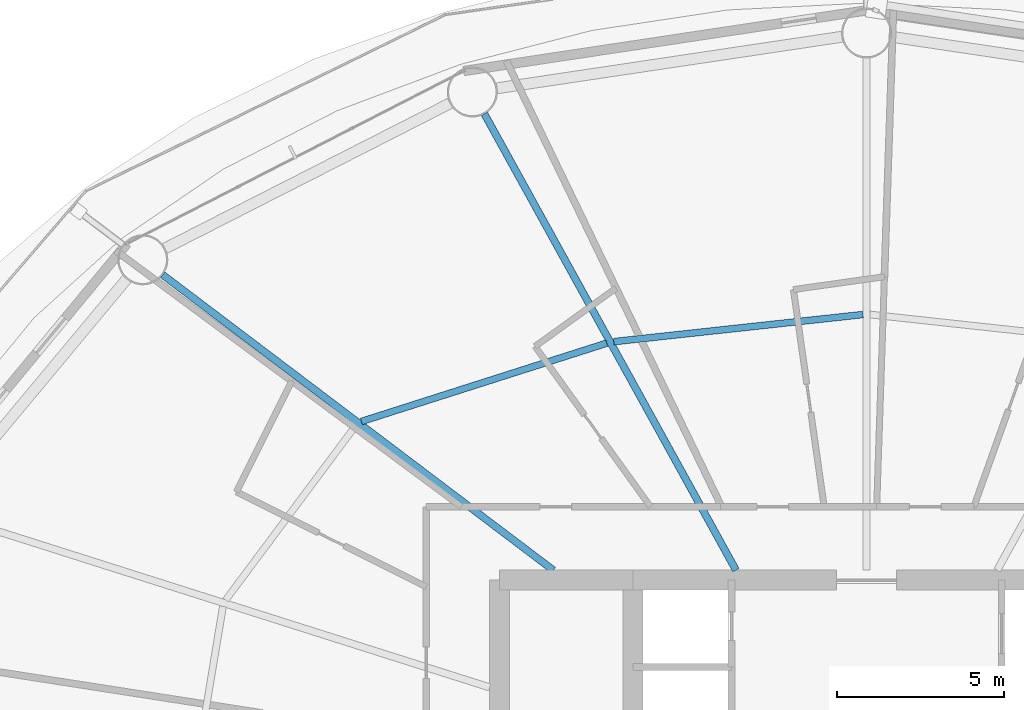
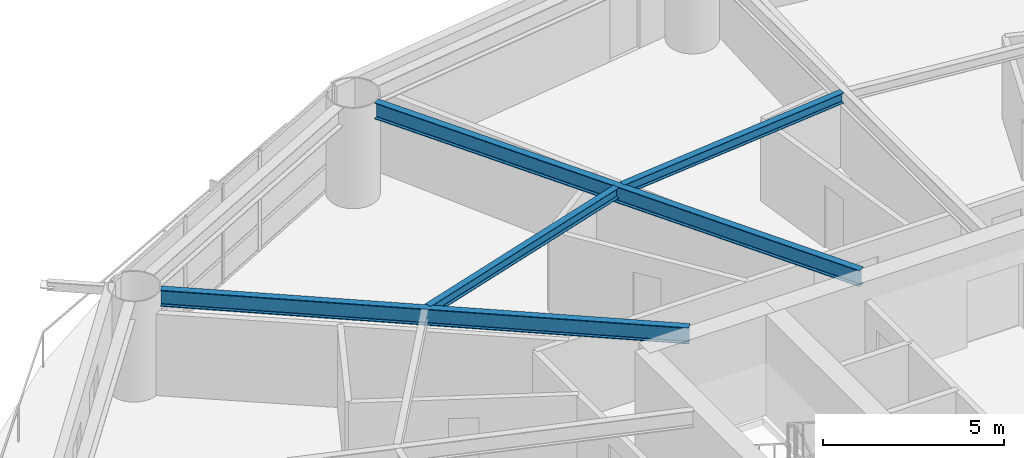
# One storey, part 11 of 28: 4 beams.
"""IFC4 building model written with IfcOpenShell, lengths in metres."""

from ifc_helpers import new_model, si_unit, direction, frame, origin, origin_2d, place, context, subcontext, project, spatial, i_section, extrude, material, material_profile, profile_set, type_object, element, save


model = new_model("IFC4")

# Units and contexts
model_context = context("Model", 3, precision=1e-05, world=origin(), true_north=direction((0.0, 1.0)))
body_context = subcontext(model_context, "Body", "Model", "MODEL_VIEW")
ifc_project = project(units=[si_unit("LENGTHUNIT", "METRE"), si_unit("AREAUNIT", "SQUARE_METRE"), si_unit("VOLUMEUNIT", "CUBIC_METRE"), si_unit("PLANEANGLEUNIT", "RADIAN"), si_unit("MASSUNIT", "GRAM", prefix="KILO")], contexts=[model_context])

# Site, building, storey
site_placement = place(None, origin())
site = spatial("IfcSite", under=ifc_project, at=site_placement, CompositionType="ELEMENT")
building_placement = place(site_placement, origin())
building = spatial("IfcBuilding", under=site, at=building_placement, Name="Sarneth Arch Tower", CompositionType="ELEMENT")
storey_placement = place(building_placement, frame((0.0, 0.0, 31.800048828125)))
storey = spatial("IfcBuildingStorey", under=building, at=storey_placement, Name="L06", CompositionType="ELEMENT", Elevation=31.800048828125)

# Beams
ifc_material_1 = material(Name="Steel S355", Category="steel")
ifc_material_profile_1 = material_profile(ifc_material_1, i_section(OverallWidth=0.202880859375, OverallDepth=0.346923828125, WebThickness=0.0078125, FlangeThickness=0.013427734375, FilletRadius=0.014892578125, at=origin_2d()), Name="W360x64")
ifc_profile_set_1 = profile_set([ifc_material_profile_1], Name="Steel S355")
beam_type_1 = type_object("IfcBeamType", Name="BM-JOIST-360C", PredefinedType="JOIST", material=ifc_profile_set_1)
beam_1_placement = place(storey_placement, frame((47.8935546875, 56.763427734375, 3.20654296875), z_axis=(-0.994129966112, -0.108192469602, 0.0), x_axis=(0.108192469602, -0.994129966112, 0.0)))
element("IfcBeam", 1, at=beam_1_placement, inside=storey, type_object=beam_type_1, Name="L06 Secondary floor joist 05", PredefinedType="JOIST", context=body_context, shape_type="SweptSolid", body=[
    extrude(i_section(OverallWidth=0.202880859375, OverallDepth=0.346923828125, WebThickness=0.0078125, FlangeThickness=0.013427734375, FilletRadius=0.014892578125, at=origin_2d()), origin(), (0.0, 0.0, 1.0), 7.5166015625),
])
beam_2_placement = place(storey_placement, frame((40.212890625, 55.906005859375, 3.20654296875), z_axis=(-0.95266836992, -0.304011475036, 0.0), x_axis=(0.304011475036, -0.95266836992, 0.0)))
element("IfcBeam", 2, at=beam_2_placement, inside=storey, type_object=beam_type_1, Name="L06 Secondary floor joist 06", PredefinedType="JOIST", context=body_context, shape_type="SweptSolid", body=[
    extrude(i_section(OverallWidth=0.202880859375, OverallDepth=0.346923828125, WebThickness=0.0078125, FlangeThickness=0.013427734375, FilletRadius=0.014892578125, at=origin_2d()), origin(), (0.0, 0.0, 1.0), 7.720703125),
])
ifc_material_2 = material(Name="Steel S355", Category="steel")
ifc_material_profile_2 = material_profile(ifc_material_2, i_section(OverallWidth=0.214111328125, OverallDepth=0.549072265625, WebThickness=0.0146484375, FlangeThickness=0.023681640625, FilletRadius=0.01806640625, at=origin_2d()), Name="W530x138")
ifc_profile_set_2 = profile_set([ifc_material_profile_2], Name="Steel S355")
beam_type_2 = type_object("IfcBeamType", Name="BM-RAD-530A", PredefinedType="BEAM", material=ifc_profile_set_2)
beam_3_placement = place(storey_placement, frame((44.08544921875, 49.10009765625, 3.10546875), z_axis=(-0.482841370957, 0.875707833979, 0.0), x_axis=(-0.875707833979, -0.482841370957, 0.0)))
element("IfcBeam", 3, at=beam_3_placement, inside=storey, type_object=beam_type_2, Name="L06 Radial floor girder 06", PredefinedType="BEAM", context=body_context, shape_type="SweptSolid", body=[
    extrude(i_section(OverallWidth=0.214111328125, OverallDepth=0.549072265625, WebThickness=0.0146484375, FlangeThickness=0.023681640625, FilletRadius=0.01806640625, at=origin_2d()), origin(), (0.0, 0.0, 1.0), 15.618408203125),
])
beam_4_placement = place(storey_placement, frame((38.609619140625, 49.10009765625, 3.10546875), z_axis=(-0.79765464731, 0.603114469753, 0.0), x_axis=(-0.603114469753, -0.79765464731, 0.0)))
element("IfcBeam", 4, at=beam_4_placement, inside=storey, type_object=beam_type_2, Name="L06 Radial floor girder 07", PredefinedType="BEAM", context=body_context, shape_type="SweptSolid", body=[
    extrude(i_section(OverallWidth=0.214111328125, OverallDepth=0.549072265625, WebThickness=0.0146484375, FlangeThickness=0.023681640625, FilletRadius=0.01806640625, at=origin_2d()), origin(), (0.0, 0.0, 1.0), 14.677978515625),
])

save(model, "model.ifc")
